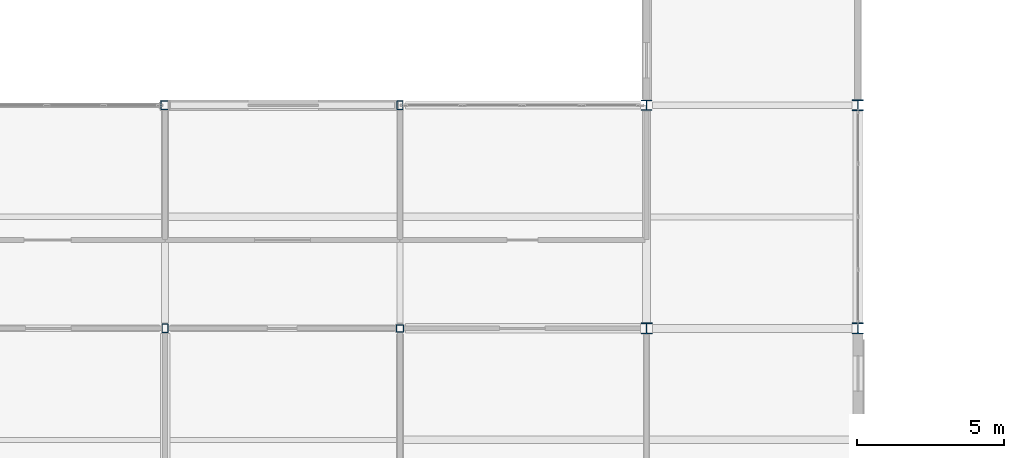
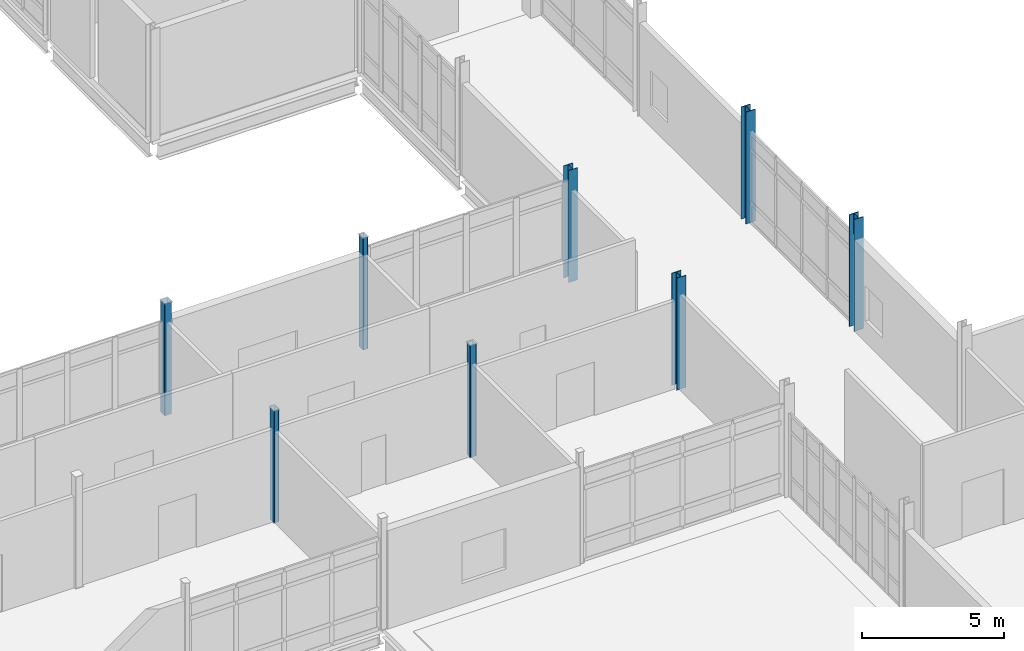
# One storey, part 10 of 186: 8 columns.
"""IFC4 building model written with IfcOpenShell, lengths in metres."""

from ifc_helpers import new_model, si_unit, direction, frame, origin, origin_2d, place, context, subcontext, project, spatial, hollow_rectangle, i_section, extrude, material, material_profile, profile_set, type_object, element, save


model = new_model("IFC4")

# Units and contexts
model_context = context("Model", 3, precision=1e-05, world=origin(), true_north=direction((0.0, 1.0)))
body_context = subcontext(model_context, "Body", "Model", "MODEL_VIEW")
ifc_project = project(units=[si_unit("LENGTHUNIT", "METRE"), si_unit("AREAUNIT", "SQUARE_METRE"), si_unit("VOLUMEUNIT", "CUBIC_METRE"), si_unit("PLANEANGLEUNIT", "RADIAN"), si_unit("MASSUNIT", "GRAM", prefix="KILO")], contexts=[model_context])

# Site, building, storey
site_placement = place(None, origin())
site = spatial("IfcSite", under=ifc_project, at=site_placement, CompositionType="ELEMENT")
building_placement = place(site_placement, origin())
building = spatial("IfcBuilding", under=site, at=building_placement, Name="Calvrana Isthmian Art Gallery", CompositionType="ELEMENT")
storey_placement = place(building_placement, frame((0.0, 0.0, 5.39990234375)))
storey = spatial("IfcBuildingStorey", under=building, at=storey_placement, Name="L01", CompositionType="ELEMENT", Elevation=5.39990234375)

# Columns
ifc_material_1 = material(Name="Steel ASTM A500 Gr C", Category="steel")
ifc_material_profile_1 = material_profile(ifc_material_1, hollow_rectangle(XDim=0.25390625, YDim=0.25390625, WallThickness=0.0126953125, OuterFilletRadius=0.02490234375, at=origin_2d()), Name="HSS254X254X12.7")
ifc_profile_set_1 = profile_set([ifc_material_profile_1], Name="Steel ASTM A500 Gr C")
column_type_1 = type_object("IfcColumnType", Name="COL-STL-HSS254X254X12.7", PredefinedType="COLUMN", material=ifc_profile_set_1)
column_1_placement = place(storey_placement, frame((104.39990234375, 54.39990234375, 0.0), z_axis=(0.0, 0.0, 1.0), x_axis=(1.0, 0.0, 0.0)))
element("IfcColumn", 1, at=column_1_placement, inside=storey, type_object=column_type_1, Name="Column 14/H L01", PredefinedType="COLUMN", context=body_context, shape_type="SweptSolid", body=[
    extrude(hollow_rectangle(XDim=0.25390625, YDim=0.25390625, WallThickness=0.0126953125, OuterFilletRadius=0.02490234375, at=origin_2d()), origin(), (0.0, 0.0, 1.0), 4.800048828125),
])
ifc_material_profile_2 = material_profile(ifc_material_1, hollow_rectangle(XDim=0.203125, YDim=0.3046875, WallThickness=0.0126953125, OuterFilletRadius=0.02490234375, at=origin_2d()), Name="HSS305X203X12.7")
ifc_profile_set_2 = profile_set([ifc_material_profile_2], Name="Steel ASTM A500 Gr C")
column_type_2 = type_object("IfcColumnType", Name="COL-STL-HSS305X203X12.7", PredefinedType="COLUMN", material=ifc_profile_set_2)
for number, where, z_axis, x_axis, name in (
    (2, (96.39990234375, 54.39990234375, 0.0), (0.0, 0.0, 1.0), (1.0, 0.0, 0.0), "Column 13/H L01"),
    (3, (104.39990234375, 62.0, 0.0), (0.0, 0.0, 1.0), (1.0, 0.0, 0.0), "Column 14/I L01"),
):
    element("IfcColumn", number, at=place(storey_placement, frame(where, z_axis=z_axis, x_axis=x_axis)), inside=storey, type_object=column_type_2, Name=name, PredefinedType="COLUMN", context=body_context, shape_type="SweptSolid", body=[
        extrude(hollow_rectangle(XDim=0.203125, YDim=0.3046875, WallThickness=0.0126953125, OuterFilletRadius=0.02490234375, at=origin_2d()), origin(), (0.0, 0.0, 1.0), 4.800048828125),
    ])
ifc_material_profile_3 = material_profile(ifc_material_1, hollow_rectangle(XDim=0.3046875, YDim=0.3046875, WallThickness=0.015869140625, OuterFilletRadius=0.031982421875, at=origin_2d()), Name="HSS305X305X15.9")
ifc_profile_set_3 = profile_set([ifc_material_profile_3], Name="Steel ASTM A500 Gr C")
column_type_3 = type_object("IfcColumnType", Name="COL-STL-HSS305X305X15.9", PredefinedType="COLUMN", material=ifc_profile_set_3)
column_2_placement = place(storey_placement, frame((96.39990234375, 62.0, 0.0), z_axis=(0.0, 0.0, 1.0), x_axis=(1.0, 0.0, 0.0)))
element("IfcColumn", 4, at=column_2_placement, inside=storey, type_object=column_type_3, Name="Column 13/I L01", PredefinedType="COLUMN", context=body_context, shape_type="SweptSolid", body=[
    extrude(hollow_rectangle(XDim=0.3046875, YDim=0.3046875, WallThickness=0.015869140625, OuterFilletRadius=0.031982421875, at=origin_2d()), origin(), (0.0, 0.0, 1.0), 4.800048828125),
])
ifc_material_2 = material(Name="Steel ASTM A992 Gr 50", Category="steel")
ifc_material_profile_4 = material_profile(ifc_material_2, i_section(OverallWidth=0.373046875, OverallDepth=0.367919921875, WebThickness=0.014892578125, FlangeThickness=0.02392578125, FilletRadius=0.02490234375, at=origin_2d()), Name="W14X120")
ifc_profile_set_4 = profile_set([ifc_material_profile_4], Name="Steel ASTM A992 Gr 50")
column_type_4 = type_object("IfcColumnType", Name="COL-STL-W14X120", PredefinedType="COLUMN", material=ifc_profile_set_4)
column_3_placement = place(storey_placement, frame((120.0, 54.39990234375, 0.0), z_axis=(0.0, 0.0, 1.0), x_axis=(1.0, 0.0, 0.0)))
element("IfcColumn", 5, at=column_3_placement, inside=storey, type_object=column_type_4, Name="Column 16/H L01", PredefinedType="COLUMN", context=body_context, shape_type="SweptSolid", body=[
    extrude(i_section(OverallWidth=0.373046875, OverallDepth=0.367919921875, WebThickness=0.014892578125, FlangeThickness=0.02392578125, FilletRadius=0.02490234375, at=origin_2d()), origin(), (0.0, 0.0, 1.0), 4.800048828125),
])
ifc_material_profile_5 = material_profile(ifc_material_2, i_section(OverallWidth=0.373046875, OverallDepth=0.373046875, WebThickness=0.016357421875, FlangeThickness=0.026123046875, FilletRadius=0.02490234375, at=origin_2d()), Name="W14X132")
ifc_profile_set_5 = profile_set([ifc_material_profile_5], Name="Steel ASTM A992 Gr 50")
column_type_5 = type_object("IfcColumnType", Name="COL-STL-W14X132", PredefinedType="COLUMN", material=ifc_profile_set_5)
for number, where, z_axis, x_axis, name in (
    (6, (112.800048828125, 54.39990234375, 0.0), (0.0, 0.0, 1.0), (1.0, 0.0, 0.0), "Column 15/H L01"),
    (7, (120.0, 62.0, 0.0), (0.0, 0.0, 1.0), (1.0, 0.0, 0.0), "Column 16/I L01"),
):
    element("IfcColumn", number, at=place(storey_placement, frame(where, z_axis=z_axis, x_axis=x_axis)), inside=storey, type_object=column_type_5, Name=name, PredefinedType="COLUMN", context=body_context, shape_type="SweptSolid", body=[
        extrude(i_section(OverallWidth=0.373046875, OverallDepth=0.373046875, WebThickness=0.016357421875, FlangeThickness=0.026123046875, FilletRadius=0.02490234375, at=origin_2d()), origin(), (0.0, 0.0, 1.0), 4.800048828125),
    ])
ifc_material_profile_6 = material_profile(ifc_material_2, i_section(OverallWidth=0.367919921875, OverallDepth=0.35595703125, WebThickness=0.01123046875, FlangeThickness=0.01806640625, FilletRadius=0.02490234375, at=origin_2d()), Name="W14X90")
ifc_profile_set_6 = profile_set([ifc_material_profile_6], Name="Steel ASTM A992 Gr 50")
column_type_6 = type_object("IfcColumnType", Name="COL-STL-W14X90", PredefinedType="COLUMN", material=ifc_profile_set_6)
column_4_placement = place(storey_placement, frame((112.800048828125, 62.0, 0.0), z_axis=(0.0, 0.0, 1.0), x_axis=(1.0, 0.0, 0.0)))
element("IfcColumn", 8, at=column_4_placement, inside=storey, type_object=column_type_6, Name="Column 15/I L01", PredefinedType="COLUMN", context=body_context, shape_type="SweptSolid", body=[
    extrude(i_section(OverallWidth=0.367919921875, OverallDepth=0.35595703125, WebThickness=0.01123046875, FlangeThickness=0.01806640625, FilletRadius=0.02490234375, at=origin_2d()), origin(), (0.0, 0.0, 1.0), 4.800048828125),
])

save(model, "model.ifc")
